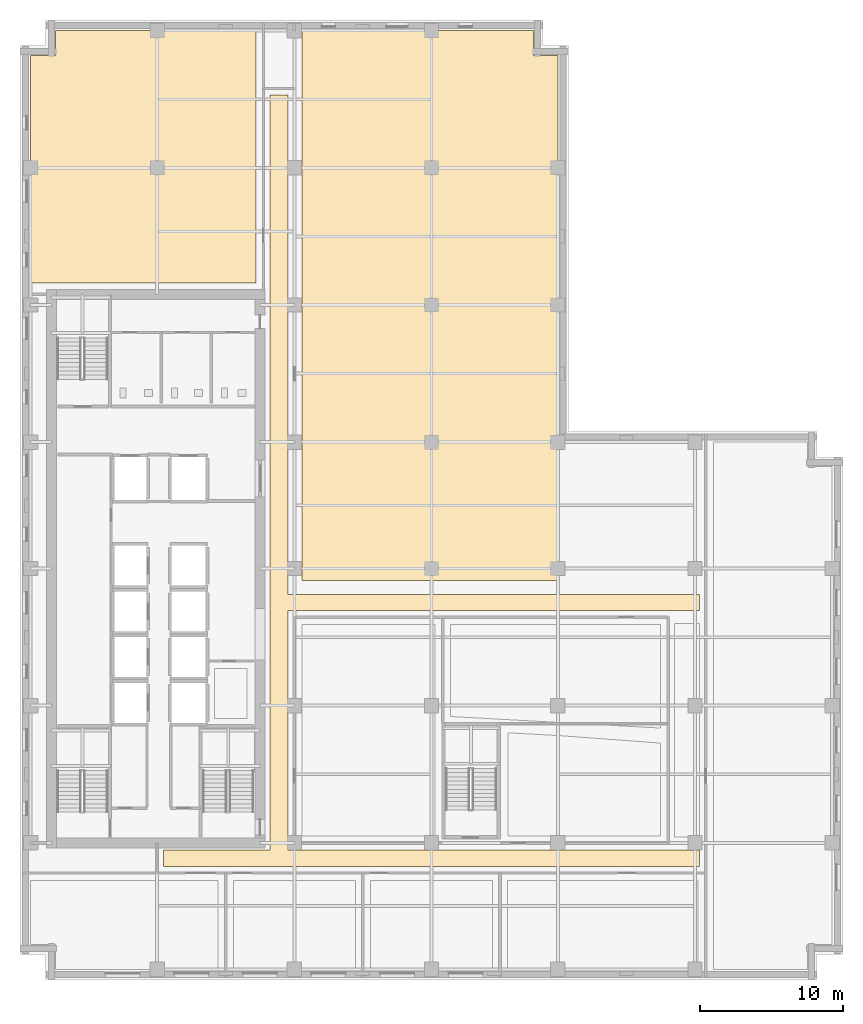
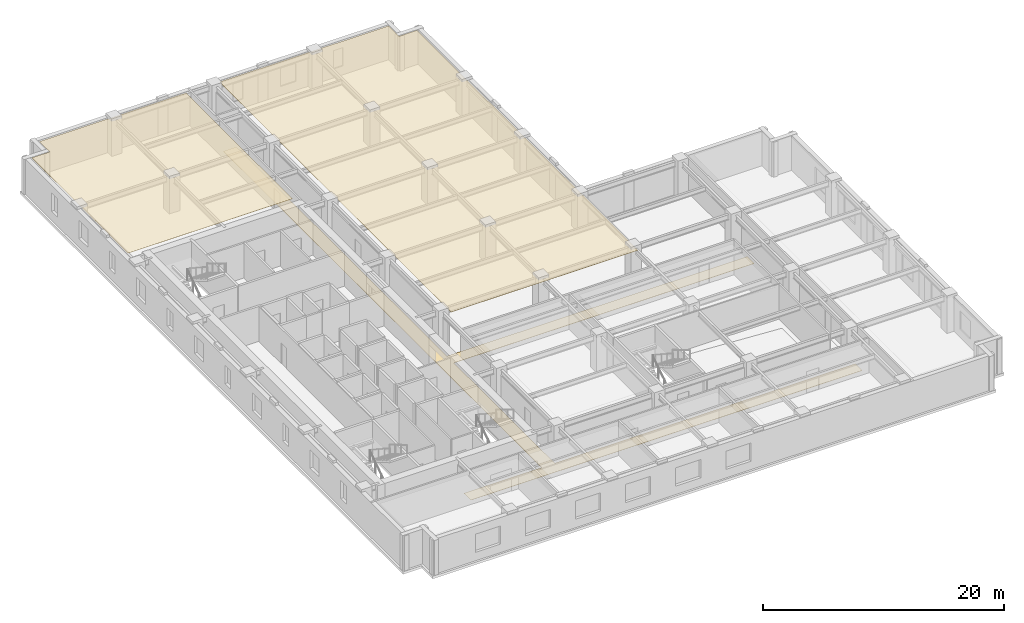
# One storey, part 10 of 11: 3 coverings.
"""IFC4 building model written with IfcOpenShell, lengths in metres."""

import ifcopenshell
import ifcopenshell.guid

model = None  # the IFC model being written
_history = None  # IfcOwnerHistory: only IFC2X3 demands one
_inside = {}  # id of a spatial element -> (the spatial element, [elements in it])
_under = {}  # id of a project, library or spatial element -> (it, [spatial elements below it])
_declared = {}  # id of a project -> (the project, [libraries it declares])
_typed = {}  # id of a type object -> (the type object, [elements of that type])
_made_of = {}  # id of a material, layer set ... -> (it, [elements and type objects made of it])


def new_model(schema):
    """Start an empty IFC model of exactly this schema.

    Asked for "IFC4X3", IfcOpenShell would pick the latest addendum, in which some entities
    have other attributes; the version numbers below select the first issue.
    IFC2X3 requires an IfcOwnerHistory on every rooted entity: one is made here for all.
    """
    global model, _history
    if schema == "IFC4X3":
        model = ifcopenshell.file(schema_version=(4, 3, 0, 0))
    else:
        model = ifcopenshell.file(schema=schema)
    _inside.clear()
    _under.clear()
    _declared.clear()
    _typed.clear()
    _made_of.clear()
    _history = None
    if model.schema == "IFC2X3":
        org = make("IfcOrganization", Name="unknown")
        user = make(
            "IfcPersonAndOrganization",
            ThePerson=make("IfcPerson", FamilyName="unknown"),
            TheOrganization=org,
        )
        app = make(
            "IfcApplication",
            ApplicationDeveloper=org,
            Version="unknown",
            ApplicationFullName="unknown",
            ApplicationIdentifier="unknown",
        )
        _history = make(
            "IfcOwnerHistory",
            OwningUser=user,
            OwningApplication=app,
            ChangeAction="ADDED",
            CreationDate=0,
        )
    return model


def make(cls, **values):
    """One entity of the class cls with the attributes given. An attribute that is None is left unset."""
    return model.create_entity(
        cls, **{name: value for name, value in values.items() if value is not None}
    )


def rooted(cls, **values):
    """An entity with a GlobalId (a new one), such as an element, a storey or a relation."""
    return make(cls, GlobalId=ifcopenshell.guid.new(), OwnerHistory=_history, **values)


def si_unit(unit_type, name, prefix=None):
    """IfcSIUnit, for example si_unit("LENGTHUNIT", "METRE", prefix="MILLI")."""
    return make("IfcSIUnit", UnitType=unit_type, Prefix=prefix, Name=name)


def assignment(units):
    """IfcUnitAssignment: the units of a project."""
    return None if units is None else make("IfcUnitAssignment", Units=units)


def point(xyz):
    """IfcCartesianPoint."""
    return None if xyz is None else make("IfcCartesianPoint", Coordinates=xyz)


def direction(xyz):
    """IfcDirection."""
    return None if xyz is None else make("IfcDirection", DirectionRatios=xyz)


def frame(location, z_axis=None, x_axis=None):
    """IfcAxis2Placement3D, a coordinate frame: its origin and axes. An axis left out is left unset."""
    return make(
        "IfcAxis2Placement3D",
        Location=point(location),
        Axis=direction(z_axis),
        RefDirection=direction(x_axis),
    )


def origin():
    """The frame at (0, 0, 0) with its axes left unset."""
    return frame((0.0, 0.0, 0.0))


def place(relative_to, where):
    """IfcLocalPlacement: puts the frame where relative to a parent placement (None: the world)."""
    return make(
        "IfcLocalPlacement", PlacementRelTo=relative_to, RelativePlacement=where
    )


def context(
    kind, dimensions, precision=None, world=None, true_north=None, identifier=None
):
    """IfcGeometricRepresentationContext, for example the 3D "Model" context."""
    return make(
        "IfcGeometricRepresentationContext",
        ContextIdentifier=identifier,
        ContextType=kind,
        CoordinateSpaceDimension=dimensions,
        Precision=precision,
        WorldCoordinateSystem=world,
        TrueNorth=true_north,
    )


def subcontext(parent, identifier, kind, view, scale=None):
    """IfcGeometricRepresentationSubContext, for example "Body" below "Model"."""
    return make(
        "IfcGeometricRepresentationSubContext",
        ContextIdentifier=identifier,
        ContextType=kind,
        ParentContext=parent,
        TargetScale=scale,
        TargetView=view,
    )


def project(units=None, contexts=None):
    """IfcProject with its units and contexts."""
    return rooted(
        "IfcProject",
        Name="project",
        RepresentationContexts=contexts,
        UnitsInContext=assignment(units),
    )


def spatial(cls, under=None, at=None, **own):
    """A site, building, storey or space (cls), placed at a placement, below another one or the project."""
    s = rooted(cls, ObjectPlacement=at, **own)
    if under is not None:
        _under.setdefault(under.id(), (under, []))[1].append(s)
    return s


def polyline(points):
    """IfcPolyline through the points."""
    return make("IfcPolyline", Points=[point(p) for p in points])


def outline(outer, holes=None, kind="AREA"):
    """IfcArbitraryClosedProfileDef: a profile drawn as a closed curve; with holes, ...WithVoids."""
    if holes is None:
        return make("IfcArbitraryClosedProfileDef", ProfileType=kind, OuterCurve=outer)
    return make(
        "IfcArbitraryProfileDefWithVoids",
        ProfileType=kind,
        OuterCurve=outer,
        InnerCurves=holes,
    )


def extrude(swept, where, along, depth):
    """IfcExtrudedAreaSolid: the profile swept, set in the frame where, extruded along a direction by depth."""
    return make(
        "IfcExtrudedAreaSolid",
        SweptArea=swept,
        Position=where,
        ExtrudedDirection=direction(along),
        Depth=depth,
    )


def shape(context_of_items, identifier, shape_type, items):
    """IfcShapeRepresentation: the items that make up one representation, for example the "Body"."""
    return make(
        "IfcShapeRepresentation",
        ContextOfItems=context_of_items,
        RepresentationIdentifier=identifier,
        RepresentationType=shape_type,
        Items=items,
    )


def material(Name=None, Category=None):
    """IfcMaterial."""
    return make("IfcMaterial", Name=Name, Category=Category)


def layer(
    of_material, thickness, ventilated=None, Name=None, Category=None, Priority=None
):
    """IfcMaterialLayer: one layer of a wall or slab, of a material (None: an air gap)."""
    return make(
        "IfcMaterialLayer",
        Material=of_material,
        LayerThickness=thickness,
        IsVentilated=ventilated,
        Name=Name,
        Category=Category,
        Priority=Priority,
    )


def layer_set(layers, Name=None):
    """IfcMaterialLayerSet."""
    return make("IfcMaterialLayerSet", MaterialLayers=layers, LayerSetName=Name)


def made_of(thing, what):
    """Note that an element or type object is made of a material, layer set ...; save() writes the relation."""
    if what is not None:
        _made_of.setdefault(what.id(), (what, []))[1].append(thing)
    return thing


def type_object(cls, material=None, **own):
    """A type object (cls), such as IfcWallType, which elements share."""
    return made_of(rooted(cls, **own), material)


def element(
    cls,
    number,
    at=None,
    inside=None,
    cuts=None,
    type_object=None,
    material=None,
    context=None,
    identifier="Body",
    shape_type=None,
    held_by="IfcProductDefinitionShape",
    body=None,
    shapes=None,
    **own,
):
    """One element of the class cls, such as IfcWall. Its Tag is "e" and its number.

    at: its placement. inside: the storey or other place that contains it. cuts: it is an
    opening in that element (IfcRelVoidsElement). A single representation is given by context,
    identifier, shape_type and body (its items); several are given by shapes. held_by: the class
    of the entity that holds the representations. save() writes the other relations.
    """
    e = rooted(cls, Tag="e%d" % number, ObjectPlacement=at, **own)
    if body is not None:
        shapes = [shape(context, identifier, shape_type, body)]
    if shapes is not None:
        e.Representation = make(held_by, Representations=shapes)
    if inside is not None:
        _inside.setdefault(inside.id(), (inside, []))[1].append(e)
    if cuts is not None:
        rooted(
            "IfcRelVoidsElement", RelatingBuildingElement=cuts, RelatedOpeningElement=e
        )
    if type_object is not None:
        _typed.setdefault(type_object.id(), (type_object, []))[1].append(e)
    return made_of(e, material)


def aggregate(whole, parts):
    """IfcRelAggregates: a whole, such as a stair, and the parts it consists of."""
    return rooted("IfcRelAggregates", RelatingObject=whole, RelatedObjects=parts)


def save(model, path):
    """Write the relations noted so far, then the file.

    IfcRelAggregates (storeys below a building ...), IfcRelContainedInSpatialStructure (elements
    in a storey), IfcRelDefinesByType, IfcRelAssociatesMaterial and IfcRelDeclares: one each for
    every whole, place, type object, material and project.
    """
    for whole, parts in _under.values():
        aggregate(whole, parts)
    for where, things in _inside.values():
        rooted(
            "IfcRelContainedInSpatialStructure",
            RelatedElements=things,
            RelatingStructure=where,
        )
    for kind, things in _typed.values():
        rooted("IfcRelDefinesByType", RelatedObjects=things, RelatingType=kind)
    for what, things in _made_of.values():
        rooted("IfcRelAssociatesMaterial", RelatedObjects=things, RelatingMaterial=what)
    for by, libraries in _declared.values():
        rooted("IfcRelDeclares", RelatingContext=by, RelatedDefinitions=libraries)
    model.write(path)


model = new_model("IFC4")

# Units and contexts
model_context = context("Model", 3, precision=1e-05, world=origin(), true_north=direction((0.0, 1.0)))
body_context = subcontext(model_context, "Body", "Model", "MODEL_VIEW")
ifc_project = project(units=[si_unit("LENGTHUNIT", "METRE"), si_unit("AREAUNIT", "SQUARE_METRE"), si_unit("VOLUMEUNIT", "CUBIC_METRE"), si_unit("PLANEANGLEUNIT", "RADIAN"), si_unit("MASSUNIT", "GRAM", prefix="KILO")], contexts=[model_context])

# Site, building, storey
site_placement = place(None, origin())
site = spatial("IfcSite", under=ifc_project, at=site_placement, CompositionType="ELEMENT")
building_placement = place(site_placement, origin())
building = spatial("IfcBuilding", under=site, at=building_placement, Name="Norrvale University Quadrangle", CompositionType="ELEMENT")
storey_placement = place(building_placement, frame((0.0, 0.0, 124.199951171875)))
storey = spatial("IfcBuildingStorey", under=building, at=storey_placement, Name="L31", CompositionType="ELEMENT", Elevation=124.199951171875)

# Coverings
ifc_material_1 = material(Name="Perforated Acoustic Mineral Ceiling")
ifc_layer_1 = layer(ifc_material_1, 0.02490234375, Name="Perforated Acoustic Mineral Ceiling")
ifc_layer_set_1 = layer_set([ifc_layer_1], Name="Perforated Acoustic Mineral Ceiling")
covering_type_1 = type_object("IfcCoveringType", Name="Covering Acoustic Ceiling 25", PredefinedType="CEILING", material=ifc_layer_set_1)
covering_1_placement = place(storey_placement, frame((0.0, 0.0, 3.51513671875)))
element("IfcCovering", 1, at=covering_1_placement, inside=storey, type_object=covering_type_1, Name="Acoustic Ceiling RM-L31-NE01", PredefinedType="CEILING", context=body_context, shape_type="SweptSolid", body=[
    extrude(outline(polyline([(37.64990234375, 27.97998046875), (19.72998046875, 27.97998046875), (19.72998046875, 66.449951171875), (35.929931640625, 66.449951171875), (35.929931640625, 64.72998046875), (37.64990234375, 64.72998046875), (37.64990234375, 27.97998046875)])), origin(), (0.0, 0.0, 1.0), 0.02490234375),
])
covering_2_placement = place(storey_placement, frame((0.0, 0.0, 3.51513671875)))
element("IfcCovering", 2, at=covering_2_placement, inside=storey, type_object=covering_type_1, Name="Acoustic Ceiling RM-L31-NW01", PredefinedType="CEILING", context=body_context, shape_type="SweptSolid", body=[
    extrude(outline(polyline([(16.52001953125, 66.449951171875), (16.52001953125, 48.780029296875), (0.75, 48.780029296875), (0.75, 64.72998046875), (2.469970703125, 64.72998046875), (2.469970703125, 66.449951171875), (16.52001953125, 66.449951171875)])), origin(), (0.0, 0.0, 1.0), 0.02490234375),
])
ifc_material_2 = material(Name="Polished Terrazzo Flooring")
ifc_layer_2 = layer(ifc_material_2, 0.02490234375, Name="Polished Terrazzo Flooring")
ifc_layer_set_2 = layer_set([ifc_layer_2], Name="Polished Terrazzo Flooring")
covering_type_2 = type_object("IfcCoveringType", Name="Covering Terrazzo Floor 30", PredefinedType="FLOORING", material=ifc_layer_set_2)
covering_3_placement = place(storey_placement, origin())
element("IfcCovering", 3, at=covering_3_placement, inside=storey, type_object=covering_type_2, Name="Terrazzo Flooring RM-L31-CORR1", PredefinedType="FLOORING", context=body_context, shape_type="SweptSolid", body=[
    extrude(outline(polyline([(10.050048828125, 7.949951171875), (10.050048828125, 9.10009765625), (17.5, 9.10009765625), (17.5, 61.949951171875), (18.75, 61.949951171875), (18.75, 27.0), (47.550048828125, 27.0), (47.550048828125, 25.85009765625), (18.75, 25.85009765625), (18.75, 9.10009765625), (47.550048828125, 9.10009765625), (47.550048828125, 7.949951171875), (10.050048828125, 7.949951171875)])), origin(), (0.0, 0.0, 1.0), 0.025146484375),
])

save(model, "model.ifc")
